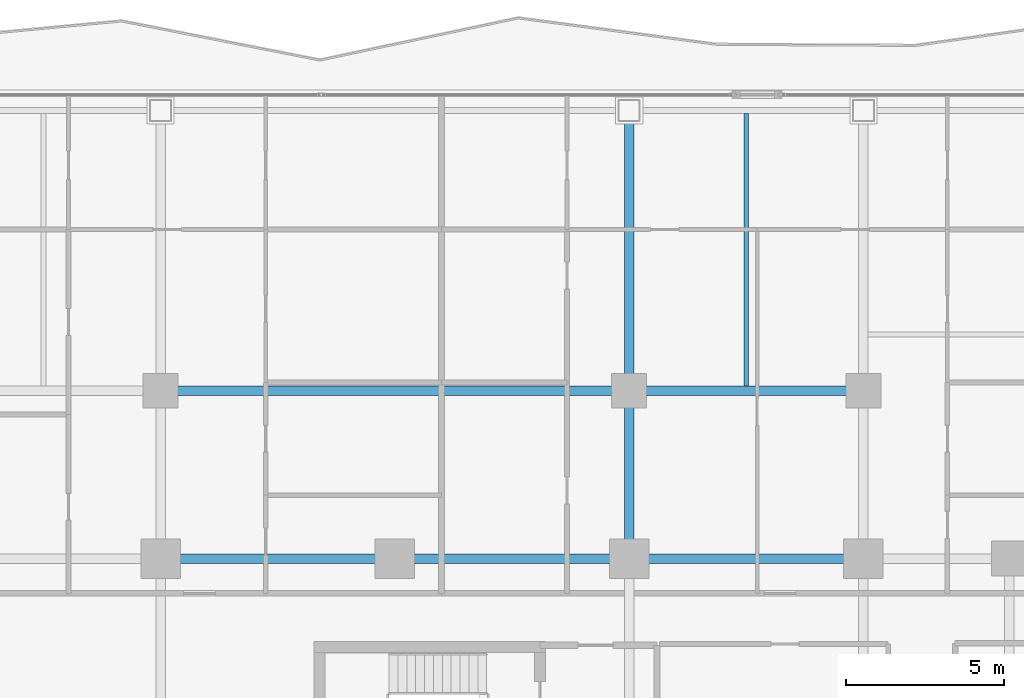
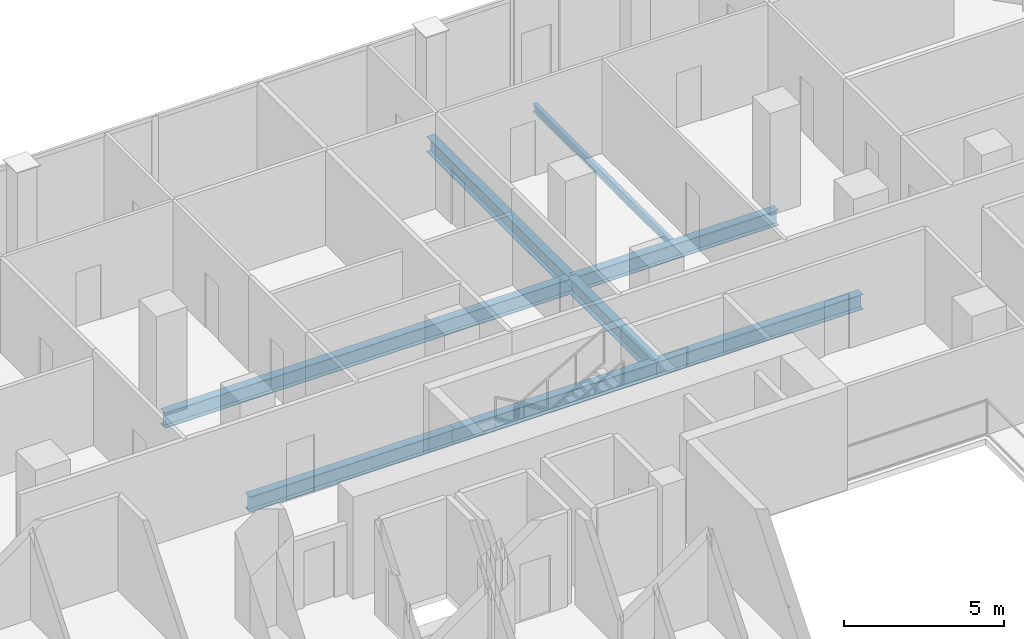
# One storey, part 13 of 27: 8 beams.
"""IFC4 building model written with IfcOpenShell, lengths in metres."""

from ifc_helpers import new_model, si_unit, direction, frame, origin, origin_2d, place, context, subcontext, project, spatial, i_section, extrude, material, material_profile, profile_set, type_object, element, save


model = new_model("IFC4")

# Units and contexts
model_context = context("Model", 3, precision=1e-05, world=origin(), true_north=direction((0.0, 1.0)))
body_context = subcontext(model_context, "Body", "Model", "MODEL_VIEW")
ifc_project = project(units=[si_unit("LENGTHUNIT", "METRE"), si_unit("AREAUNIT", "SQUARE_METRE"), si_unit("VOLUMEUNIT", "CUBIC_METRE"), si_unit("PLANEANGLEUNIT", "RADIAN"), si_unit("MASSUNIT", "GRAM", prefix="KILO")], contexts=[model_context])

# Site, building, storey
site_placement = place(None, origin())
site = spatial("IfcSite", under=ifc_project, at=site_placement, CompositionType="ELEMENT")
building_placement = place(site_placement, origin())
building = spatial("IfcBuilding", under=site, at=building_placement, Name="Khorvyn Point Tower", CompositionType="ELEMENT")
storey_placement = place(building_placement, frame((0.0, 0.0, 132.89990234375)))
storey = spatial("IfcBuildingStorey", under=building, at=storey_placement, Name="L33", CompositionType="ELEMENT", Elevation=132.89990234375)

# Beams
ifc_material = material(Name="Steel S355", Category="steel")
ifc_material_profile_1 = material_profile(ifc_material, i_section(OverallWidth=0.300048828125, OverallDepth=0.587890625, WebThickness=0.011962890625, FlangeThickness=0.02001953125, at=origin_2d()))
ifc_profile_set_1 = profile_set([ifc_material_profile_1], Name="Steel S355 H588x300x12x20")
beam_type_1 = type_object("IfcBeamType", Name="Steel S355 Beam H588x300x12x20", PredefinedType="BEAM", material=ifc_profile_set_1)
for number, where, z_axis, x_axis, name in (
    (1, (-7.39990234375, 14.800048828125, -0.513916015625), (1.0, 0.0, 0.0), (0.0, 1.0, 0.0), "Beam"),
    (2, (0.0, 14.800048828125, -0.513916015625), (1.0, 0.0, 0.0), (0.0, 1.0, 0.0), "Beam"),
):
    element("IfcBeam", number, at=place(storey_placement, frame(where, z_axis=z_axis, x_axis=x_axis)), inside=storey, type_object=beam_type_1, Name=name, PredefinedType="BEAM", context=body_context, shape_type="SweptSolid", body=[
        extrude(i_section(OverallWidth=0.300048828125, OverallDepth=0.587890625, WebThickness=0.011962890625, FlangeThickness=0.02001953125, at=origin_2d()), origin(), (0.0, 0.0, 1.0), 7.39990234375),
    ])
beam_1_placement = place(storey_placement, frame((7.39990234375, 14.800048828125, -0.513916015625), z_axis=(1.0, 0.0, 0.0), x_axis=(0.0, 1.0, 0.0)))
element("IfcBeam", 3, at=beam_1_placement, inside=storey, type_object=beam_type_1, Name="Beam", PredefinedType="BEAM", context=body_context, shape_type="SweptSolid", body=[
    extrude(i_section(OverallWidth=0.300048828125, OverallDepth=0.587890625, WebThickness=0.011962890625, FlangeThickness=0.02001953125, at=origin_2d()), origin(), (0.0, 0.0, 1.0), 7.400146484375),
])
beam_2_placement = place(storey_placement, frame((-7.39990234375, 20.10009765625, -0.513916015625), z_axis=(1.0, 0.0, 0.0), x_axis=(0.0, 1.0, 0.0)))
element("IfcBeam", 4, at=beam_2_placement, inside=storey, type_object=beam_type_1, Name="Beam", PredefinedType="BEAM", context=body_context, shape_type="SweptSolid", body=[
    extrude(i_section(OverallWidth=0.300048828125, OverallDepth=0.587890625, WebThickness=0.011962890625, FlangeThickness=0.02001953125, at=origin_2d()), origin(), (0.0, 0.0, 1.0), 14.7998046875),
])
beam_3_placement = place(storey_placement, frame((7.39990234375, 20.10009765625, -0.513916015625), z_axis=(1.0, 0.0, 0.0), x_axis=(0.0, 1.0, 0.0)))
element("IfcBeam", 5, at=beam_3_placement, inside=storey, type_object=beam_type_1, Name="Beam", PredefinedType="BEAM", context=body_context, shape_type="SweptSolid", body=[
    extrude(i_section(OverallWidth=0.300048828125, OverallDepth=0.587890625, WebThickness=0.011962890625, FlangeThickness=0.02001953125, at=origin_2d()), origin(), (0.0, 0.0, 1.0), 7.400146484375),
])
beam_4_placement = place(storey_placement, frame((7.39990234375, 14.800048828125, -0.513916015625), z_axis=(0.0, 1.0, 0.0), x_axis=(-1.0, 0.0, 0.0)))
element("IfcBeam", 6, at=beam_4_placement, inside=storey, type_object=beam_type_1, Name="Beam", PredefinedType="BEAM", context=body_context, shape_type="SweptSolid", body=[
    extrude(i_section(OverallWidth=0.300048828125, OverallDepth=0.587890625, WebThickness=0.011962890625, FlangeThickness=0.02001953125, at=origin_2d()), origin(), (0.0, 0.0, 1.0), 5.300048828125),
])
beam_5_placement = place(storey_placement, frame((7.39990234375, 20.10009765625, -0.513916015625), z_axis=(0.0, 1.0, 0.0), x_axis=(-1.0, 0.0, 0.0)))
element("IfcBeam", 7, at=beam_5_placement, inside=storey, type_object=beam_type_1, Name="Beam", PredefinedType="BEAM", context=body_context, shape_type="SweptSolid", body=[
    extrude(i_section(OverallWidth=0.300048828125, OverallDepth=0.587890625, WebThickness=0.011962890625, FlangeThickness=0.02001953125, at=origin_2d()), origin(), (0.0, 0.0, 1.0), 8.849853515625),
])
ifc_material_profile_2 = material_profile(ifc_material, i_section(OverallWidth=0.14990234375, OverallDepth=0.300048828125, WebThickness=0.006591796875, FlangeThickness=0.009033203125, at=origin_2d()))
ifc_profile_set_2 = profile_set([ifc_material_profile_2], Name="Steel S355 H300x150x6.5x9")
beam_type_2 = type_object("IfcBeamType", Name="Steel S355 Joist H300x150x6.5x9", PredefinedType="JOIST", material=ifc_profile_set_2)
beam_6_placement = place(storey_placement, frame((11.10009765625, 20.25, -0.369873046875), z_axis=(0.0, 1.0, 0.0), x_axis=(-1.0, 0.0, 0.0)))
element("IfcBeam", 8, at=beam_6_placement, inside=storey, type_object=beam_type_2, Name="Beam", PredefinedType="JOIST", context=body_context, shape_type="SweptSolid", body=[
    extrude(i_section(OverallWidth=0.14990234375, OverallDepth=0.300048828125, WebThickness=0.006591796875, FlangeThickness=0.009033203125, at=origin_2d()), origin(), (0.0, 0.0, 1.0), 8.60009765625),
])

save(model, "model.ifc")
